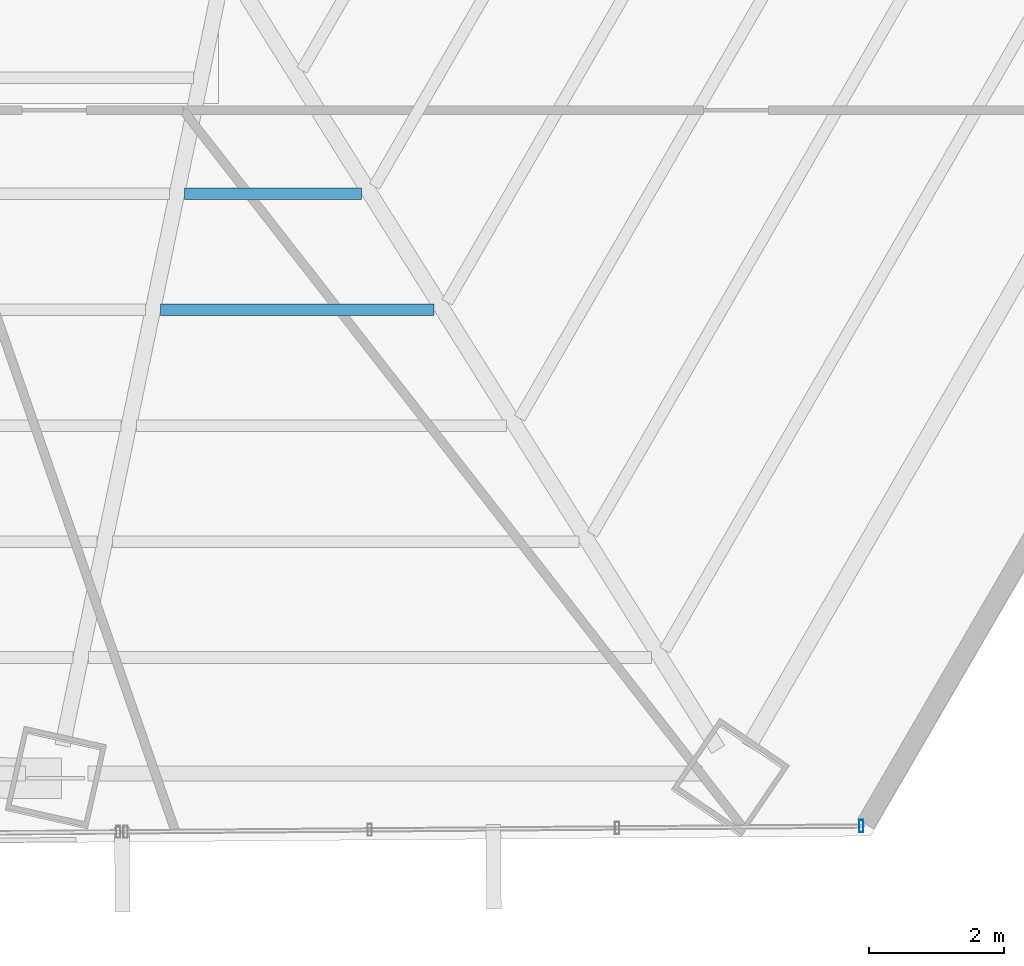
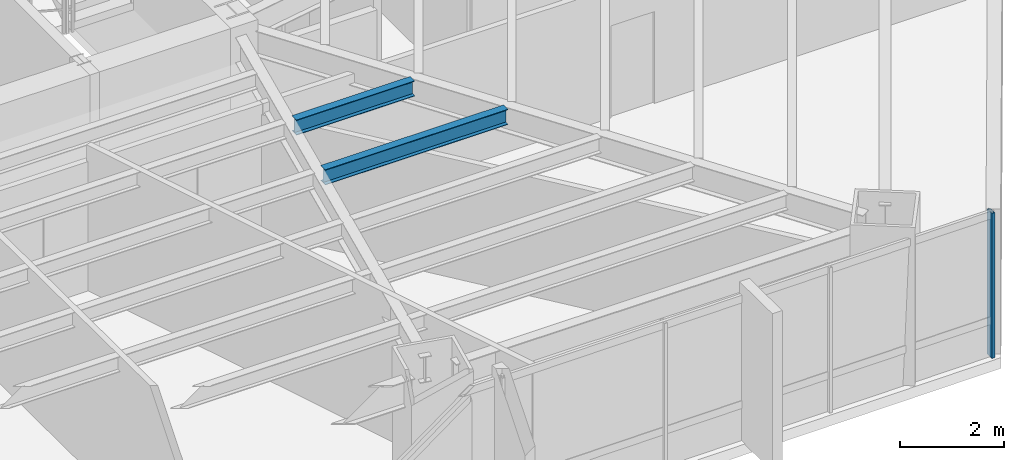
# One storey, part 17 of 35: 2 beams, 1 member, 1 element without a shape of its own.
"""IFC4 building model written with IfcOpenShell, lengths in metres."""

from ifc_helpers import new_model, si_unit, direction, frame, origin, origin_2d, place, context, subcontext, project, spatial, hollow_rectangle, i_section, extrude, source, transform, mapped, material, material_profile, profile_set, type_object, type_shapes, element, aggregate, save


model = new_model("IFC4")

# Units and contexts
model_context = context("Model", 3, precision=1e-05, world=origin(), true_north=direction((0.0, 1.0)))
body_context = subcontext(model_context, "Body", "Model", "MODEL_VIEW")
ifc_project = project(units=[si_unit("LENGTHUNIT", "METRE"), si_unit("AREAUNIT", "SQUARE_METRE"), si_unit("VOLUMEUNIT", "CUBIC_METRE"), si_unit("PLANEANGLEUNIT", "RADIAN"), si_unit("MASSUNIT", "GRAM", prefix="KILO")], contexts=[model_context])

# Site, building, storey
site_placement = place(None, origin())
site = spatial("IfcSite", under=ifc_project, at=site_placement, CompositionType="ELEMENT")
building_placement = place(site_placement, origin())
building = spatial("IfcBuilding", under=site, at=building_placement, Name="Caelisora Broadcast Tower", CompositionType="ELEMENT")
storey_placement = place(building_placement, frame((0.0, 0.0, 53.14990234375)))
storey = spatial("IfcBuildingStorey", under=building, at=storey_placement, Name="L13", CompositionType="ELEMENT", Elevation=53.14990234375)

# Beams
ifc_material_1 = material(Name="Steel Grade 350 (AS/NZS 3679.1)", Category="steel")
ifc_material_profile_1 = material_profile(ifc_material_1, i_section(OverallWidth=0.172119140625, OverallDepth=0.358642578125, WebThickness=0.008056640625, FlangeThickness=0.012939453125, at=origin_2d()), Name="Steel Grade 350 (AS/NZS 3679.1)")
ifc_profile_set_1 = profile_set([ifc_material_profile_1], Name="Steel Grade 350 (AS/NZS 3679.1)")
beam_type = type_object("IfcBeamType", Name="SB02", PredefinedType="JOIST", material=ifc_profile_set_1)
shared_shape_1 = source(origin(), body_context, "Body", "SweptSolid", [
    extrude(i_section(OverallWidth=0.172119140625, OverallDepth=0.358642578125, WebThickness=0.008056640625, FlangeThickness=0.012939453125, at=origin_2d()), origin(), (0.0, 0.0, 1.0), 2.6171875),
])
beam_1_placement = place(storey_placement, frame((44.901611328125, 13.96533203125, 3.220703125), z_axis=(1.0, 0.0, 0.0), x_axis=(0.0, 1.0, 0.0)))
element("IfcBeam", 1, at=beam_1_placement, inside=storey, type_object=beam_type, Name="L13 beam SB02", PredefinedType="JOIST", context=body_context, shape_type="MappedRepresentation", body=[
    mapped(shared_shape_1, transform((0.0, 0.0, 0.0), scale=1.0)),
])
shared_shape_2 = source(origin(), body_context, "Body", "SweptSolid", [
    extrude(i_section(OverallWidth=0.172119140625, OverallDepth=0.358642578125, WebThickness=0.008056640625, FlangeThickness=0.012939453125, at=origin_2d()), origin(), (0.0, 0.0, 1.0), 4.048095703125),
])
type_shapes(beam_type, [shared_shape_1, shared_shape_2])
beam_2_placement = place(storey_placement, frame((44.545654296875, 12.247802734375, 3.220703125), z_axis=(1.0, 0.0, 0.0), x_axis=(0.0, 1.0, 0.0)))
element("IfcBeam", 2, at=beam_2_placement, inside=storey, type_object=beam_type, Name="L13 beam SB02", PredefinedType="JOIST", context=body_context, shape_type="MappedRepresentation", body=[
    mapped(shared_shape_2, transform((0.0, 0.0, 0.0), scale=1.0)),
])

# Curtain wall, member
ifc_material_2 = material(Name="Unitised Aluminium and Low-E Glass Curtain Wall", Category="glass")
curtain_wall_type = type_object("IfcCurtainWallType", Name="CW-Z1", PredefinedType="NOTDEFINED", material=ifc_material_2)
curtain_wall_placement = place(storey_placement, origin())
curtain_wall = element("IfcCurtainWall", 3, at=curtain_wall_placement, inside=storey, type_object=curtain_wall_type, Name="L13 curtain wall CW-Z1", PredefinedType="NOTDEFINED")
ifc_material_3 = material(Name="Aluminium 6063-T6 Anodised Terracotta Bronze", Category="aluminium")
ifc_material_profile_2 = material_profile(ifc_material_3, hollow_rectangle(XDim=0.06494140625, YDim=0.179931640625, WallThickness=0.00341796875, at=origin_2d()), Name="Aluminium 6063-T6 Anodised Terracotta Bronze")
ifc_profile_set_2 = profile_set([ifc_material_profile_2], Name="Aluminium 6063-T6 Anodised Terracotta Bronze")
member_type = type_object("IfcMemberType", Name="CWM-02", PredefinedType="MULLION", material=ifc_profile_set_2)
shared_shape_3 = source(origin(), body_context, "Body", "SweptSolid", [
    extrude(hollow_rectangle(XDim=0.06494140625, YDim=0.179931640625, WallThickness=0.00341796875, at=origin_2d()), origin(), (0.0, 0.0, 1.0), 3.400146484375),
])
type_shapes(member_type, [shared_shape_3])
member_placement = place(storey_placement, frame((54.922119140625, 4.6005859375, 0.0), z_axis=(0.0, 0.0, 1.0), x_axis=(1.0, 0.0, 0.0)))
member = element("IfcMember", 4, at=member_placement, type_object=member_type, Name="L13-CW-B05 mullion #0", PredefinedType="MULLION", context=body_context, shape_type="MappedRepresentation", body=[
    mapped(shared_shape_3, transform((0.0, 0.0, 0.0), scale=1.0)),
])
aggregate(curtain_wall, [member])

save(model, "model.ifc")
